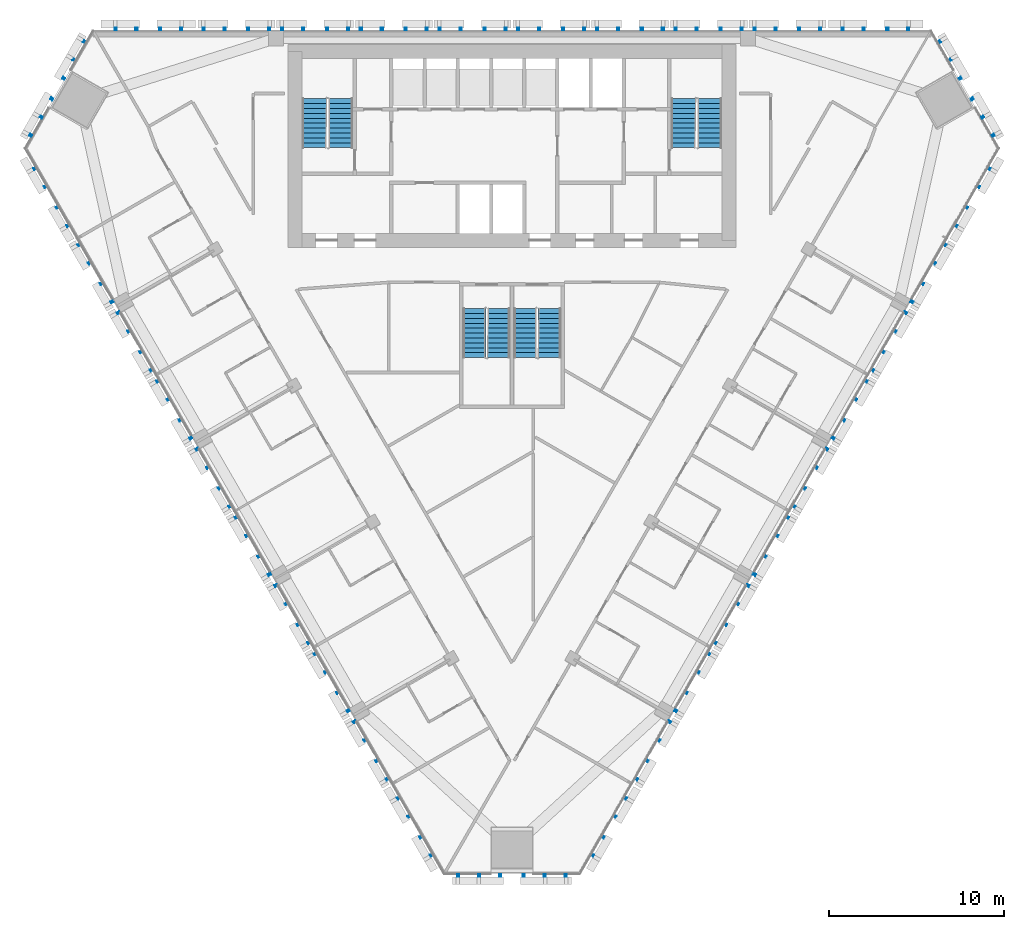
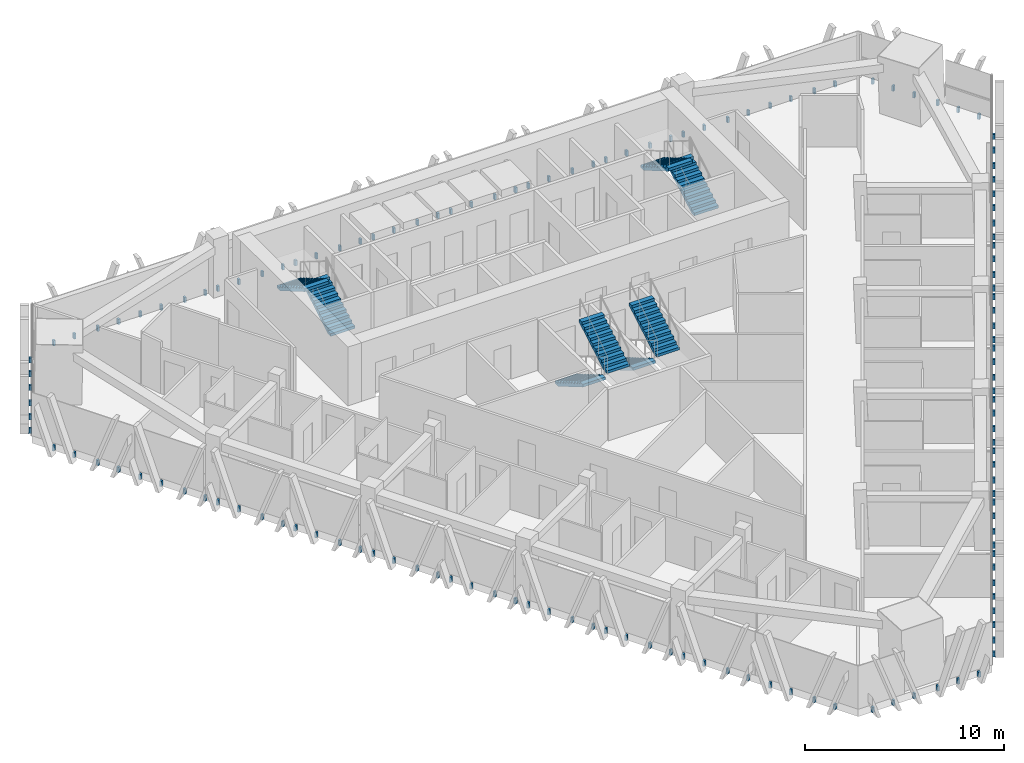
# One storey, part 13 of 16: 8 stair flights, 6 discrete accessories, 4 elements without a shape of their own.
"""IFC4 building model written with IfcOpenShell, lengths in metres."""

from ifc_helpers import new_model, si_unit, direction, frame, origin, place, context, subcontext, project, spatial, polyline, outline, extrude, source, transform, mapped, material, type_object, element, aggregate, save


model = new_model("IFC4")

# Units and contexts
model_context = context("Model", 3, precision=1e-05, world=origin(), true_north=direction((0.0, 1.0)))
body_context = subcontext(model_context, "Body", "Model", "MODEL_VIEW")
ifc_project = project(units=[si_unit("LENGTHUNIT", "METRE"), si_unit("AREAUNIT", "SQUARE_METRE"), si_unit("VOLUMEUNIT", "CUBIC_METRE"), si_unit("PLANEANGLEUNIT", "RADIAN"), si_unit("MASSUNIT", "GRAM", prefix="KILO")], contexts=[model_context])

# Site, building, storey
site_placement = place(None, origin())
site = spatial("IfcSite", under=ifc_project, at=site_placement, CompositionType="ELEMENT")
building_placement = place(site_placement, origin())
building = spatial("IfcBuilding", under=site, at=building_placement, Name="Altiplano Prism Tower", CompositionType="ELEMENT")
storey_placement = place(building_placement, frame((0.0, 0.0, 131.39990234375)))
storey = spatial("IfcBuildingStorey", under=building, at=storey_placement, Name="L33", CompositionType="ELEMENT", Elevation=131.39990234375)

# Stair, stair flights
ifc_material_1 = material(Name="Concrete C40/50", Category="concrete")
stair_type_1 = type_object("IfcStairType", Name="Exit stair 1400", PredefinedType="HALF_TURN_STAIR", material=ifc_material_1)
stair_1_placement = place(storey_placement, origin())
stair_1 = element("IfcStair", 1, at=stair_1_placement, inside=storey, type_object=stair_type_1, Name="L33 Exit Stair 1", PredefinedType="HALF_TURN_STAIR")
stair_flight_type = type_object("IfcStairFlightType", Name="Stair flight concrete 150", PredefinedType="STRAIGHT", material=ifc_material_1)
stair_flight_1_placement = place(storey_placement, frame((75.199951171875, 98.300048828125, 0.0), z_axis=(0.0, 0.0, 1.0), x_axis=(0.0, 1.0, 0.0)))
stair_flight_1 = element("IfcStairFlight", 2, at=stair_flight_1_placement, type_object=stair_flight_type, Name="ST1 flight 1", NumberOfRisers=11, NumberOfTreads=10, PredefinedType="STRAIGHT", RiserHeight=0.163636364, TreadLength=0.28, context=body_context, shape_type="SweptSolid", body=[
    extrude(outline(polyline([(0.0, 0.0), (0.0, 0.16357421875), (0.280029296875, 0.16357421875), (0.280029296875, 0.327392578125), (0.56005859375, 0.327392578125), (0.56005859375, 0.490966796875), (0.840087890625, 0.490966796875), (0.840087890625, 0.654541015625), (1.1201171875, 0.654541015625), (1.1201171875, 0.818115234375), (1.39990234375, 0.818115234375), (1.39990234375, 0.98193359375), (1.679931640625, 0.98193359375), (1.679931640625, 1.1455078125), (1.9599609375, 1.1455078125), (1.9599609375, 1.30908203125), (2.239990234375, 1.30908203125), (2.239990234375, 1.47265625), (2.52001953125, 1.47265625), (2.52001953125, 1.636474609375), (2.800048828125, 1.636474609375), (2.800048828125, 1.800048828125), (2.800048828125, 1.462646484375), (0.297119140625, 0.0), (0.0, 0.0)])), frame((0.0, 0.699951171875, 0.0), z_axis=(0.0, -1.0, 0.0), x_axis=(1.0, 0.0, 0.0)), (0.0, 0.0, 1.0), 1.39990234375),
])
stair_flight_2_placement = place(storey_placement, frame((73.699951171875, 101.10009765625, 1.800048828125), z_axis=(0.0, 0.0, 1.0), x_axis=(0.0, -1.0, 0.0)))
stair_flight_2 = element("IfcStairFlight", 3, at=stair_flight_2_placement, type_object=stair_flight_type, Name="ST1 flight 2", NumberOfRisers=11, NumberOfTreads=10, PredefinedType="STRAIGHT", RiserHeight=0.163636364, TreadLength=0.28, context=body_context, shape_type="SweptSolid", body=[
    extrude(outline(polyline([(0.0, 0.0), (0.0, 0.16357421875), (0.280029296875, 0.16357421875), (0.280029296875, 0.327392578125), (0.56005859375, 0.327392578125), (0.56005859375, 0.490966796875), (0.840087890625, 0.490966796875), (0.840087890625, 0.654541015625), (1.1201171875, 0.654541015625), (1.1201171875, 0.818115234375), (1.39990234375, 0.818115234375), (1.39990234375, 0.98193359375), (1.679931640625, 0.98193359375), (1.679931640625, 1.1455078125), (1.9599609375, 1.1455078125), (1.9599609375, 1.30908203125), (2.239990234375, 1.30908203125), (2.239990234375, 1.47265625), (2.52001953125, 1.47265625), (2.52001953125, 1.636474609375), (2.800048828125, 1.636474609375), (2.800048828125, 1.800048828125), (2.800048828125, 1.462646484375), (0.297119140625, 0.0), (0.0, 0.0)])), frame((0.0, 0.699951171875, 0.0), z_axis=(0.0, -1.0, 0.0), x_axis=(1.0, 0.0, 0.0)), (0.0, 0.0, 1.0), 1.39990234375),
])
aggregate(stair_1, [stair_flight_1, stair_flight_2])

stair_2_placement = place(storey_placement, origin())
stair_2 = element("IfcStair", 4, at=stair_2_placement, inside=storey, type_object=stair_type_1, Name="L33 Exit Stair 2", PredefinedType="HALF_TURN_STAIR")
stair_flight_3_placement = place(storey_placement, frame((96.300048828125, 98.300048828125, 0.0), z_axis=(0.0, 0.0, 1.0), x_axis=(0.0, 1.0, 0.0)))
stair_flight_3 = element("IfcStairFlight", 5, at=stair_flight_3_placement, type_object=stair_flight_type, Name="ST2 flight 1", NumberOfRisers=11, NumberOfTreads=10, PredefinedType="STRAIGHT", RiserHeight=0.163636364, TreadLength=0.28, context=body_context, shape_type="SweptSolid", body=[
    extrude(outline(polyline([(0.0, 0.0), (0.0, 0.16357421875), (0.280029296875, 0.16357421875), (0.280029296875, 0.327392578125), (0.56005859375, 0.327392578125), (0.56005859375, 0.490966796875), (0.840087890625, 0.490966796875), (0.840087890625, 0.654541015625), (1.1201171875, 0.654541015625), (1.1201171875, 0.818115234375), (1.39990234375, 0.818115234375), (1.39990234375, 0.98193359375), (1.679931640625, 0.98193359375), (1.679931640625, 1.1455078125), (1.9599609375, 1.1455078125), (1.9599609375, 1.30908203125), (2.239990234375, 1.30908203125), (2.239990234375, 1.47265625), (2.52001953125, 1.47265625), (2.52001953125, 1.636474609375), (2.800048828125, 1.636474609375), (2.800048828125, 1.800048828125), (2.800048828125, 1.462646484375), (0.297119140625, 0.0), (0.0, 0.0)])), frame((0.0, 0.699951171875, 0.0), z_axis=(0.0, -1.0, 0.0), x_axis=(1.0, 0.0, 0.0)), (0.0, 0.0, 1.0), 1.39990234375),
])
stair_flight_4_placement = place(storey_placement, frame((94.800048828125, 101.10009765625, 1.800048828125), z_axis=(0.0, 0.0, 1.0), x_axis=(0.0, -1.0, 0.0)))
stair_flight_4 = element("IfcStairFlight", 6, at=stair_flight_4_placement, type_object=stair_flight_type, Name="ST2 flight 2", NumberOfRisers=11, NumberOfTreads=10, PredefinedType="STRAIGHT", RiserHeight=0.163636364, TreadLength=0.28, context=body_context, shape_type="SweptSolid", body=[
    extrude(outline(polyline([(0.0, 0.0), (0.0, 0.16357421875), (0.280029296875, 0.16357421875), (0.280029296875, 0.327392578125), (0.56005859375, 0.327392578125), (0.56005859375, 0.490966796875), (0.840087890625, 0.490966796875), (0.840087890625, 0.654541015625), (1.1201171875, 0.654541015625), (1.1201171875, 0.818115234375), (1.39990234375, 0.818115234375), (1.39990234375, 0.98193359375), (1.679931640625, 0.98193359375), (1.679931640625, 1.1455078125), (1.9599609375, 1.1455078125), (1.9599609375, 1.30908203125), (2.239990234375, 1.30908203125), (2.239990234375, 1.47265625), (2.52001953125, 1.47265625), (2.52001953125, 1.636474609375), (2.800048828125, 1.636474609375), (2.800048828125, 1.800048828125), (2.800048828125, 1.462646484375), (0.297119140625, 0.0), (0.0, 0.0)])), frame((0.0, 0.699951171875, 0.0), z_axis=(0.0, -1.0, 0.0), x_axis=(1.0, 0.0, 0.0)), (0.0, 0.0, 1.0), 1.39990234375),
])
aggregate(stair_2, [stair_flight_3, stair_flight_4])

stair_type_2 = type_object("IfcStairType", Name="Exit stair 1300", PredefinedType="HALF_TURN_STAIR", material=ifc_material_1)
stair_3_placement = place(storey_placement, origin())
stair_3 = element("IfcStair", 7, at=stair_3_placement, inside=storey, type_object=stair_type_2, Name="L33 Exit Stair 3A", PredefinedType="HALF_TURN_STAIR")
stair_flight_5_placement = place(storey_placement, frame((82.85009765625, 89.10009765625, 0.0), z_axis=(0.0, 0.0, 1.0), x_axis=(0.0, -1.0, 0.0)))
stair_flight_5 = element("IfcStairFlight", 8, at=stair_flight_5_placement, type_object=stair_flight_type, Name="ST3A flight 1", NumberOfRisers=11, NumberOfTreads=10, PredefinedType="STRAIGHT", RiserHeight=0.163636364, TreadLength=0.28, context=body_context, shape_type="SweptSolid", body=[
    extrude(outline(polyline([(0.0, 0.0), (0.0, 0.16357421875), (0.280029296875, 0.16357421875), (0.280029296875, 0.327392578125), (0.56005859375, 0.327392578125), (0.56005859375, 0.490966796875), (0.840087890625, 0.490966796875), (0.840087890625, 0.654541015625), (1.1201171875, 0.654541015625), (1.1201171875, 0.818115234375), (1.39990234375, 0.818115234375), (1.39990234375, 0.98193359375), (1.679931640625, 0.98193359375), (1.679931640625, 1.1455078125), (1.9599609375, 1.1455078125), (1.9599609375, 1.30908203125), (2.239990234375, 1.30908203125), (2.239990234375, 1.47265625), (2.52001953125, 1.47265625), (2.52001953125, 1.636474609375), (2.800048828125, 1.636474609375), (2.800048828125, 1.800048828125), (2.800048828125, 1.462646484375), (0.297119140625, 0.0), (0.0, 0.0)])), frame((0.0, 0.64990234375, 0.0), z_axis=(0.0, -1.0, 0.0), x_axis=(1.0, 0.0, 0.0)), (0.0, 0.0, 1.0), 1.300048828125),
])
stair_flight_6_placement = place(storey_placement, frame((84.25, 86.300048828125, 1.800048828125), z_axis=(0.0, 0.0, 1.0), x_axis=(0.0, 1.0, 0.0)))
stair_flight_6 = element("IfcStairFlight", 9, at=stair_flight_6_placement, type_object=stair_flight_type, Name="ST3A flight 2", NumberOfRisers=11, NumberOfTreads=10, PredefinedType="STRAIGHT", RiserHeight=0.163636364, TreadLength=0.28, context=body_context, shape_type="SweptSolid", body=[
    extrude(outline(polyline([(0.0, 0.0), (0.0, 0.16357421875), (0.280029296875, 0.16357421875), (0.280029296875, 0.327392578125), (0.56005859375, 0.327392578125), (0.56005859375, 0.490966796875), (0.840087890625, 0.490966796875), (0.840087890625, 0.654541015625), (1.1201171875, 0.654541015625), (1.1201171875, 0.818115234375), (1.39990234375, 0.818115234375), (1.39990234375, 0.98193359375), (1.679931640625, 0.98193359375), (1.679931640625, 1.1455078125), (1.9599609375, 1.1455078125), (1.9599609375, 1.30908203125), (2.239990234375, 1.30908203125), (2.239990234375, 1.47265625), (2.52001953125, 1.47265625), (2.52001953125, 1.636474609375), (2.800048828125, 1.636474609375), (2.800048828125, 1.800048828125), (2.800048828125, 1.462646484375), (0.297119140625, 0.0), (0.0, 0.0)])), frame((0.0, 0.64990234375, 0.0), z_axis=(0.0, -1.0, 0.0), x_axis=(1.0, 0.0, 0.0)), (0.0, 0.0, 1.0), 1.300048828125),
])
aggregate(stair_3, [stair_flight_5, stair_flight_6])

stair_4_placement = place(storey_placement, origin())
stair_4 = element("IfcStair", 10, at=stair_4_placement, inside=storey, type_object=stair_type_2, Name="L33 Exit Stair 3B", PredefinedType="HALF_TURN_STAIR")
stair_flight_7_placement = place(storey_placement, frame((85.75, 89.10009765625, 0.0), z_axis=(0.0, 0.0, 1.0), x_axis=(0.0, -1.0, 0.0)))
stair_flight_7 = element("IfcStairFlight", 11, at=stair_flight_7_placement, type_object=stair_flight_type, Name="ST3B flight 1", NumberOfRisers=11, NumberOfTreads=10, PredefinedType="STRAIGHT", RiserHeight=0.163636364, TreadLength=0.28, context=body_context, shape_type="SweptSolid", body=[
    extrude(outline(polyline([(0.0, 0.0), (0.0, 0.16357421875), (0.280029296875, 0.16357421875), (0.280029296875, 0.327392578125), (0.56005859375, 0.327392578125), (0.56005859375, 0.490966796875), (0.840087890625, 0.490966796875), (0.840087890625, 0.654541015625), (1.1201171875, 0.654541015625), (1.1201171875, 0.818115234375), (1.39990234375, 0.818115234375), (1.39990234375, 0.98193359375), (1.679931640625, 0.98193359375), (1.679931640625, 1.1455078125), (1.9599609375, 1.1455078125), (1.9599609375, 1.30908203125), (2.239990234375, 1.30908203125), (2.239990234375, 1.47265625), (2.52001953125, 1.47265625), (2.52001953125, 1.636474609375), (2.800048828125, 1.636474609375), (2.800048828125, 1.800048828125), (2.800048828125, 1.462646484375), (0.297119140625, 0.0), (0.0, 0.0)])), frame((0.0, 0.64990234375, 0.0), z_axis=(0.0, -1.0, 0.0), x_axis=(1.0, 0.0, 0.0)), (0.0, 0.0, 1.0), 1.300048828125),
])
stair_flight_8_placement = place(storey_placement, frame((87.14990234375, 86.300048828125, 1.800048828125), z_axis=(0.0, 0.0, 1.0), x_axis=(0.0, 1.0, 0.0)))
stair_flight_8 = element("IfcStairFlight", 12, at=stair_flight_8_placement, type_object=stair_flight_type, Name="ST3B flight 2", NumberOfRisers=11, NumberOfTreads=10, PredefinedType="STRAIGHT", RiserHeight=0.163636364, TreadLength=0.28, context=body_context, shape_type="SweptSolid", body=[
    extrude(outline(polyline([(0.0, 0.0), (0.0, 0.16357421875), (0.280029296875, 0.16357421875), (0.280029296875, 0.327392578125), (0.56005859375, 0.327392578125), (0.56005859375, 0.490966796875), (0.840087890625, 0.490966796875), (0.840087890625, 0.654541015625), (1.1201171875, 0.654541015625), (1.1201171875, 0.818115234375), (1.39990234375, 0.818115234375), (1.39990234375, 0.98193359375), (1.679931640625, 0.98193359375), (1.679931640625, 1.1455078125), (1.9599609375, 1.1455078125), (1.9599609375, 1.30908203125), (2.239990234375, 1.30908203125), (2.239990234375, 1.47265625), (2.52001953125, 1.47265625), (2.52001953125, 1.636474609375), (2.800048828125, 1.636474609375), (2.800048828125, 1.800048828125), (2.800048828125, 1.462646484375), (0.297119140625, 0.0), (0.0, 0.0)])), frame((0.0, 0.64990234375, 0.0), z_axis=(0.0, -1.0, 0.0), x_axis=(1.0, 0.0, 0.0)), (0.0, 0.0, 1.0), 1.300048828125),
])
aggregate(stair_4, [stair_flight_7, stair_flight_8])

# Discrete accessories
ifc_material_2 = material(Name="Stainless steel", Category="steel")
discrete_accessory_type = type_object("IfcDiscreteAccessoryType", Name="Stone fin fixing prongs", PredefinedType="USERDEFINED", material=ifc_material_2)
shared_shape_1 = source(origin(), body_context, "Body", "SweptSolid", [
    extrude(outline(polyline([(-1.94189453125, 0.06005859375), (-1.822021484375, 0.06005859375), (-1.822021484375, 0.389892578125), (-1.94189453125, 0.389892578125), (-1.94189453125, 0.06005859375)])), frame((0.0, 0.0, 0.0), z_axis=(0.0, -1.0, 0.0), x_axis=(1.0, 0.0, 0.0)), (0.0, 0.0, 1.0), 0.14990234375),
    extrude(outline(polyline([(-0.741943359375, 0.06005859375), (-0.621826171875, 0.06005859375), (-0.621826171875, 0.389892578125), (-0.741943359375, 0.389892578125), (-0.741943359375, 0.06005859375)])), frame((0.0, 0.0, 0.0), z_axis=(0.0, -1.0, 0.0), x_axis=(1.0, 0.0, 0.0)), (0.0, 0.0, 1.0), 0.14990234375),
    extrude(outline(polyline([(0.621826171875, 0.06005859375), (0.741943359375, 0.06005859375), (0.741943359375, 0.389892578125), (0.621826171875, 0.389892578125), (0.621826171875, 0.06005859375)])), frame((0.0, 0.0, 0.0), z_axis=(0.0, -1.0, 0.0), x_axis=(1.0, 0.0, 0.0)), (0.0, 0.0, 1.0), 0.14990234375),
    extrude(outline(polyline([(1.822021484375, 0.06005859375), (1.94189453125, 0.06005859375), (1.94189453125, 0.389892578125), (1.822021484375, 0.389892578125), (1.822021484375, 0.06005859375)])), frame((0.0, 0.0, 0.0), z_axis=(0.0, -1.0, 0.0), x_axis=(1.0, 0.0, 0.0)), (0.0, 0.0, 1.0), 0.14990234375),
])
shared_shape_2 = source(origin(), body_context, "Body", "SweptSolid", [
    extrude(outline(polyline([(-1.94189453125, 0.06005859375), (-1.822021484375, 0.06005859375), (-1.822021484375, 0.389892578125), (-1.94189453125, 0.389892578125), (-1.94189453125, 0.06005859375)])), frame((0.0, 0.0, 0.0), z_axis=(0.0, -1.0, 0.0), x_axis=(1.0, 0.0, 0.0)), (0.0, 0.0, 1.0), 0.14990234375),
    extrude(outline(polyline([(-0.741943359375, 0.06005859375), (-0.621826171875, 0.06005859375), (-0.621826171875, 0.389892578125), (-0.741943359375, 0.389892578125), (-0.741943359375, 0.06005859375)])), frame((0.0, 0.0, 0.0), z_axis=(0.0, -1.0, 0.0), x_axis=(1.0, 0.0, 0.0)), (0.0, 0.0, 1.0), 0.14990234375),
    extrude(outline(polyline([(0.621826171875, 0.06005859375), (0.741943359375, 0.06005859375), (0.741943359375, 0.389892578125), (0.621826171875, 0.389892578125), (0.621826171875, 0.06005859375)])), frame((0.0, 0.0, 0.0), z_axis=(0.0, -1.0, 0.0), x_axis=(1.0, 0.0, 0.0)), (0.0, 0.0, 1.0), 0.14990234375),
    extrude(outline(polyline([(1.822021484375, 0.06005859375), (1.94189453125, 0.06005859375), (1.94189453125, 0.389892578125), (1.822021484375, 0.389892578125), (1.822021484375, 0.06005859375)])), frame((0.0, 0.0, 0.0), z_axis=(0.0, -1.0, 0.0), x_axis=(1.0, 0.0, 0.0)), (0.0, 0.0, 1.0), 0.14990234375),
])
discrete_accessory_1_placement = place(storey_placement, origin())
element("IfcDiscreteAccessory", 13, at=discrete_accessory_1_placement, inside=storey, type_object=discrete_accessory_type, Name="Fin fixings L33 north face", ObjectType="BRACKET", PredefinedType="USERDEFINED", context=body_context, shape_type="MappedRepresentation", body=[
    mapped(shared_shape_1, transform((105.782958984375, 105.0, -0.449951171875), x_axis=(-1.0, 0.0, 0.0), y_axis=(0.0, -1.0, 0.0), z_axis=(0.0, 0.0, 1.0))),
    mapped(shared_shape_2, transform((100.75, 105.0, -0.449951171875), x_axis=(-1.0, 0.0, 0.0), y_axis=(0.0, -1.0, 0.0), z_axis=(0.0, 0.0, 1.0))),
    mapped(shared_shape_2, transform((96.25, 105.0, -0.449951171875), x_axis=(-1.0, 0.0, 0.0), y_axis=(0.0, -1.0, 0.0), z_axis=(0.0, 0.0, 1.0))),
    mapped(shared_shape_2, transform((91.75, 105.0, -0.449951171875), x_axis=(-1.0, 0.0, 0.0), y_axis=(0.0, -1.0, 0.0), z_axis=(0.0, 0.0, 1.0))),
    mapped(shared_shape_2, transform((87.25, 105.0, -0.449951171875), x_axis=(-1.0, 0.0, 0.0), y_axis=(0.0, -1.0, 0.0), z_axis=(0.0, 0.0, 1.0))),
    mapped(shared_shape_2, transform((82.75, 105.0, -0.449951171875), x_axis=(-1.0, 0.0, 0.0), y_axis=(0.0, -1.0, 0.0), z_axis=(0.0, 0.0, 1.0))),
    mapped(shared_shape_2, transform((78.25, 105.0, -0.449951171875), x_axis=(-1.0, 0.0, 0.0), y_axis=(0.0, -1.0, 0.0), z_axis=(0.0, 0.0, 1.0))),
    mapped(shared_shape_2, transform((73.75, 105.0, -0.449951171875), x_axis=(-1.0, 0.0, 0.0), y_axis=(0.0, -1.0, 0.0), z_axis=(0.0, 0.0, 1.0))),
    mapped(shared_shape_2, transform((69.25, 105.0, -0.449951171875), x_axis=(-1.0, 0.0, 0.0), y_axis=(0.0, -1.0, 0.0), z_axis=(0.0, 0.0, 1.0))),
    mapped(shared_shape_1, transform((64.217041015625, 105.0, -0.449951171875), x_axis=(-1.0, 0.0, 0.0), y_axis=(0.0, -1.0, 0.0), z_axis=(0.0, 0.0, 1.0))),
])
discrete_accessory_2_placement = place(storey_placement, origin())
element("IfcDiscreteAccessory", 14, at=discrete_accessory_2_placement, inside=storey, type_object=discrete_accessory_type, Name="Fin fixings L33 south-west face", ObjectType="BRACKET", PredefinedType="USERDEFINED", context=body_context, shape_type="MappedRepresentation", body=[
    mapped(shared_shape_1, transform((58.74169921875, 95.516357421875, -0.449951171875), x_axis=(0.50000000184, -0.866025402722, 0.0), y_axis=(0.866025402722, 0.50000000184, 0.0), z_axis=(0.0, 0.0, 1.0))),
    mapped(shared_shape_2, transform((61.258056640625, 91.15771484375, -0.449951171875), x_axis=(0.50000000184, -0.866025402722, 0.0), y_axis=(0.866025402722, 0.50000000184, 0.0), z_axis=(0.0, 0.0, 1.0))),
    mapped(shared_shape_2, transform((63.508056640625, 87.2607421875, -0.449951171875), x_axis=(0.50000000184, -0.866025402722, 0.0), y_axis=(0.866025402722, 0.50000000184, 0.0), z_axis=(0.0, 0.0, 1.0))),
    mapped(shared_shape_2, transform((65.758056640625, 83.363525390625, -0.449951171875), x_axis=(0.50000000184, -0.866025402722, 0.0), y_axis=(0.866025402722, 0.50000000184, 0.0), z_axis=(0.0, 0.0, 1.0))),
    mapped(shared_shape_2, transform((68.008056640625, 79.46630859375, -0.449951171875), x_axis=(0.50000000184, -0.866025402722, 0.0), y_axis=(0.866025402722, 0.50000000184, 0.0), z_axis=(0.0, 0.0, 1.0))),
    mapped(shared_shape_2, transform((70.258056640625, 75.5693359375, -0.449951171875), x_axis=(0.50000000184, -0.866025402722, 0.0), y_axis=(0.866025402722, 0.50000000184, 0.0), z_axis=(0.0, 0.0, 1.0))),
    mapped(shared_shape_2, transform((72.508056640625, 71.672119140625, -0.449951171875), x_axis=(0.50000000184, -0.866025402722, 0.0), y_axis=(0.866025402722, 0.50000000184, 0.0), z_axis=(0.0, 0.0, 1.0))),
    mapped(shared_shape_2, transform((74.758056640625, 67.775146484375, -0.449951171875), x_axis=(0.50000000184, -0.866025402722, 0.0), y_axis=(0.866025402722, 0.50000000184, 0.0), z_axis=(0.0, 0.0, 1.0))),
    mapped(shared_shape_2, transform((77.008056640625, 63.8779296875, -0.449951171875), x_axis=(0.50000000184, -0.866025402722, 0.0), y_axis=(0.866025402722, 0.50000000184, 0.0), z_axis=(0.0, 0.0, 1.0))),
    mapped(shared_shape_1, transform((79.524658203125, 59.519287109375, -0.449951171875), x_axis=(0.50000000184, -0.866025402722, 0.0), y_axis=(0.866025402722, 0.50000000184, 0.0), z_axis=(0.0, 0.0, 1.0))),
])
discrete_accessory_3_placement = place(storey_placement, origin())
element("IfcDiscreteAccessory", 15, at=discrete_accessory_3_placement, inside=storey, type_object=discrete_accessory_type, Name="Fin fixings L33 south-east face", ObjectType="BRACKET", PredefinedType="USERDEFINED", context=body_context, shape_type="MappedRepresentation", body=[
    mapped(shared_shape_1, transform((90.475341796875, 59.519287109375, -0.449951171875), x_axis=(0.50000000184, 0.866025402722, 0.0), y_axis=(-0.866025402722, 0.50000000184, 0.0), z_axis=(0.0, 0.0, 1.0))),
    mapped(shared_shape_2, transform((92.991943359375, 63.8779296875, -0.449951171875), x_axis=(0.50000000184, 0.866025402722, 0.0), y_axis=(-0.866025402722, 0.50000000184, 0.0), z_axis=(0.0, 0.0, 1.0))),
    mapped(shared_shape_2, transform((95.241943359375, 67.775146484375, -0.449951171875), x_axis=(0.50000000184, 0.866025402722, 0.0), y_axis=(-0.866025402722, 0.50000000184, 0.0), z_axis=(0.0, 0.0, 1.0))),
    mapped(shared_shape_2, transform((97.491943359375, 71.672119140625, -0.449951171875), x_axis=(0.50000000184, 0.866025402722, 0.0), y_axis=(-0.866025402722, 0.50000000184, 0.0), z_axis=(0.0, 0.0, 1.0))),
    mapped(shared_shape_2, transform((99.741943359375, 75.5693359375, -0.449951171875), x_axis=(0.50000000184, 0.866025402722, 0.0), y_axis=(-0.866025402722, 0.50000000184, 0.0), z_axis=(0.0, 0.0, 1.0))),
    mapped(shared_shape_2, transform((101.991943359375, 79.46630859375, -0.449951171875), x_axis=(0.50000000184, 0.866025402722, 0.0), y_axis=(-0.866025402722, 0.50000000184, 0.0), z_axis=(0.0, 0.0, 1.0))),
    mapped(shared_shape_2, transform((104.241943359375, 83.363525390625, -0.449951171875), x_axis=(0.50000000184, 0.866025402722, 0.0), y_axis=(-0.866025402722, 0.50000000184, 0.0), z_axis=(0.0, 0.0, 1.0))),
    mapped(shared_shape_2, transform((106.491943359375, 87.2607421875, -0.449951171875), x_axis=(0.50000000184, 0.866025402722, 0.0), y_axis=(-0.866025402722, 0.50000000184, 0.0), z_axis=(0.0, 0.0, 1.0))),
    mapped(shared_shape_2, transform((108.741943359375, 91.15771484375, -0.449951171875), x_axis=(0.50000000184, 0.866025402722, 0.0), y_axis=(-0.866025402722, 0.50000000184, 0.0), z_axis=(0.0, 0.0, 1.0))),
    mapped(shared_shape_1, transform((111.25830078125, 95.516357421875, -0.449951171875), x_axis=(0.50000000184, 0.866025402722, 0.0), y_axis=(-0.866025402722, 0.50000000184, 0.0), z_axis=(0.0, 0.0, 1.0))),
])
shared_shape_3 = source(origin(), body_context, "Body", "SweptSolid", [
    extrude(outline(polyline([(-3.141845703125, 0.06005859375), (-3.02197265625, 0.06005859375), (-3.02197265625, 0.389892578125), (-3.141845703125, 0.389892578125), (-3.141845703125, 0.06005859375)])), frame((0.0, 0.0, 0.0), z_axis=(0.0, -1.0, 0.0), x_axis=(1.0, 0.0, 0.0)), (0.0, 0.0, 1.0), 0.14990234375),
    extrude(outline(polyline([(-1.94189453125, 0.06005859375), (-1.822021484375, 0.06005859375), (-1.822021484375, 0.389892578125), (-1.94189453125, 0.389892578125), (-1.94189453125, 0.06005859375)])), frame((0.0, 0.0, 0.0), z_axis=(0.0, -1.0, 0.0), x_axis=(1.0, 0.0, 0.0)), (0.0, 0.0, 1.0), 0.14990234375),
    extrude(outline(polyline([(-0.741943359375, 0.06005859375), (-0.621826171875, 0.06005859375), (-0.621826171875, 0.389892578125), (-0.741943359375, 0.389892578125), (-0.741943359375, 0.06005859375)])), frame((0.0, 0.0, 0.0), z_axis=(0.0, -1.0, 0.0), x_axis=(1.0, 0.0, 0.0)), (0.0, 0.0, 1.0), 0.14990234375),
    extrude(outline(polyline([(0.621826171875, 0.06005859375), (0.741943359375, 0.06005859375), (0.741943359375, 0.389892578125), (0.621826171875, 0.389892578125), (0.621826171875, 0.06005859375)])), frame((0.0, 0.0, 0.0), z_axis=(0.0, -1.0, 0.0), x_axis=(1.0, 0.0, 0.0)), (0.0, 0.0, 1.0), 0.14990234375),
    extrude(outline(polyline([(1.822021484375, 0.06005859375), (1.94189453125, 0.06005859375), (1.94189453125, 0.389892578125), (1.822021484375, 0.389892578125), (1.822021484375, 0.06005859375)])), frame((0.0, 0.0, 0.0), z_axis=(0.0, -1.0, 0.0), x_axis=(1.0, 0.0, 0.0)), (0.0, 0.0, 1.0), 0.14990234375),
    extrude(outline(polyline([(3.02197265625, 0.06005859375), (3.141845703125, 0.06005859375), (3.141845703125, 0.389892578125), (3.02197265625, 0.389892578125), (3.02197265625, 0.06005859375)])), frame((0.0, 0.0, 0.0), z_axis=(0.0, -1.0, 0.0), x_axis=(1.0, 0.0, 0.0)), (0.0, 0.0, 1.0), 0.14990234375),
])
discrete_accessory_4_placement = place(storey_placement, origin())
element("IfcDiscreteAccessory", 16, at=discrete_accessory_4_placement, inside=storey, type_object=discrete_accessory_type, Name="Fin fixings L33 north-west chamfer", ObjectType="BRACKET", PredefinedType="USERDEFINED", context=body_context, shape_type="MappedRepresentation", body=[
    mapped(shared_shape_3, transform((59.09228515625, 101.636474609375, -0.449951171875), x_axis=(-0.50000000109, -0.866025403155, 0.0), y_axis=(0.866025403155, -0.50000000109, 0.0), z_axis=(0.0, 0.0, 1.0))),
])
discrete_accessory_5_placement = place(storey_placement, origin())
element("IfcDiscreteAccessory", 17, at=discrete_accessory_5_placement, inside=storey, type_object=discrete_accessory_type, Name="Fin fixings L33 south chamfer", ObjectType="BRACKET", PredefinedType="USERDEFINED", context=body_context, shape_type="MappedRepresentation", body=[
    mapped(shared_shape_3, transform((85.0, 56.762939453125, -0.449951171875), x_axis=(1.0, 0.0, 0.0), y_axis=(0.0, 1.0, 0.0), z_axis=(0.0, 0.0, 1.0))),
])
discrete_accessory_6_placement = place(storey_placement, origin())
element("IfcDiscreteAccessory", 18, at=discrete_accessory_6_placement, inside=storey, type_object=discrete_accessory_type, Name="Fin fixings L33 north-east chamfer", ObjectType="BRACKET", PredefinedType="USERDEFINED", context=body_context, shape_type="MappedRepresentation", body=[
    mapped(shared_shape_3, transform((110.90771484375, 101.636474609375, -0.449951171875), x_axis=(-0.50000000109, 0.866025403155, 0.0), y_axis=(-0.866025403155, -0.50000000109, 0.0), z_axis=(0.0, 0.0, 1.0))),
])

save(model, "model.ifc")
